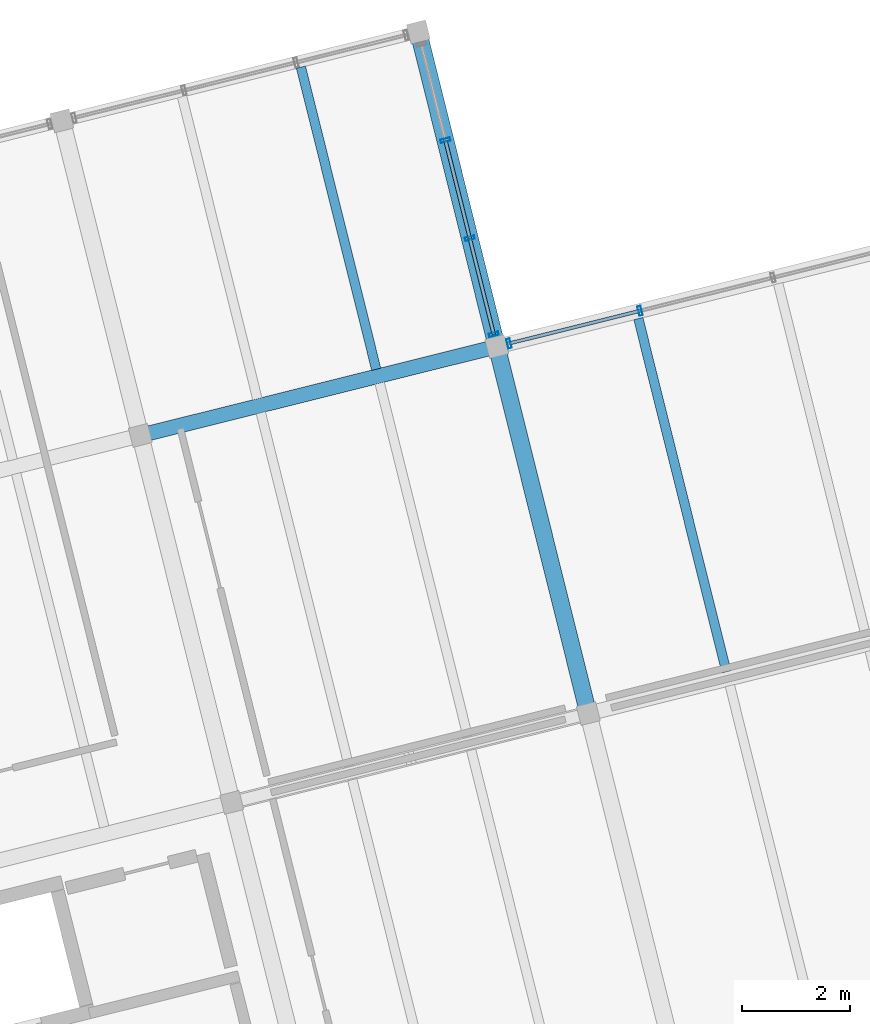
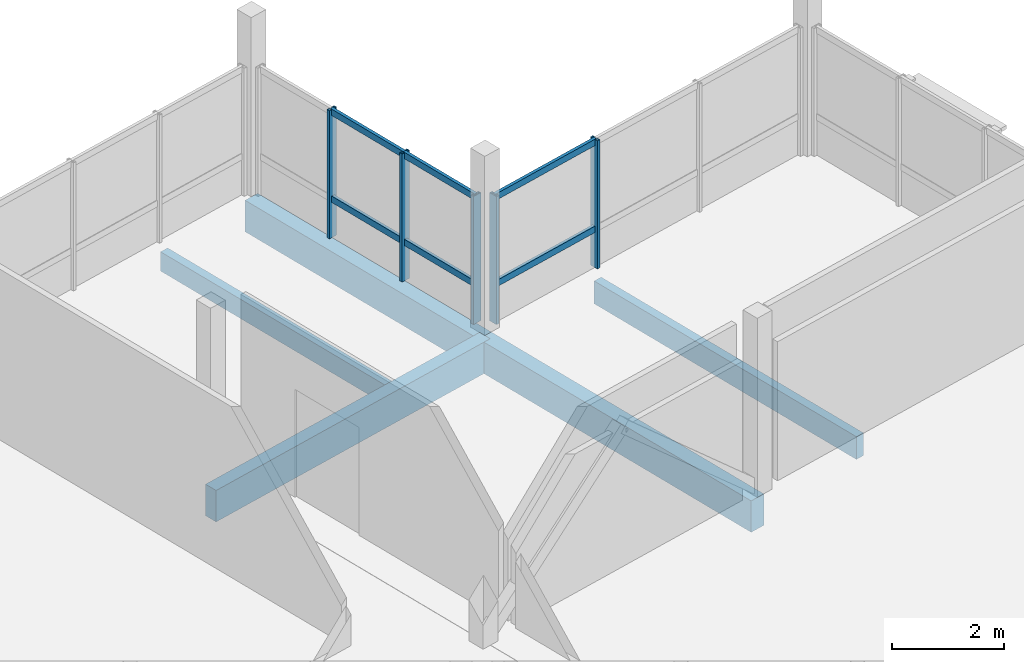
# One storey, part 20 of 28: 11 members, 5 beams, 2 elements without a shape of their own.
"""IFC4 building model written with IfcOpenShell, lengths in metres."""

from ifc_helpers import new_model, si_unit, direction, frame, origin, origin_2d, place, context, subcontext, project, spatial, rectangle, hollow_rectangle, extrude, material, layer, layer_set, material_profile, profile_set, type_object, element, aggregate, save


model = new_model("IFC4")

# Units and contexts
model_context = context("Model", 3, precision=1e-05, world=origin(), true_north=direction((0.0, 1.0)))
body_context = subcontext(model_context, "Body", "Model", "MODEL_VIEW")
ifc_project = project(units=[si_unit("LENGTHUNIT", "METRE"), si_unit("AREAUNIT", "SQUARE_METRE"), si_unit("VOLUMEUNIT", "CUBIC_METRE"), si_unit("PLANEANGLEUNIT", "RADIAN"), si_unit("MASSUNIT", "GRAM", prefix="KILO")], contexts=[model_context])

# Site, building, storey
site_placement = place(None, origin())
site = spatial("IfcSite", under=ifc_project, at=site_placement, CompositionType="ELEMENT")
building_placement = place(site_placement, origin())
building = spatial("IfcBuilding", under=site, at=building_placement, Name="Meriwether Solvik Hall", CompositionType="ELEMENT")
storey_placement = place(building_placement, frame((0.0, 0.0, 37.800048828125)))
storey = spatial("IfcBuildingStorey", under=building, at=storey_placement, Name="L09", CompositionType="ELEMENT", Elevation=37.800048828125)

# Beams
ifc_material_1 = material(Name="Glulam Douglas-Fir 24F-V8 GL28h", Category="wood")
ifc_material_profile_1 = material_profile(ifc_material_1, rectangle(XDim=0.27294921875, YDim=0.68505859375, at=origin_2d()), Name="GLB-273X685")
ifc_profile_set_1 = profile_set([ifc_material_profile_1], Name="Glulam Douglas-Fir 24F-V8 GL28h")
beam_type_1 = type_object("IfcBeamType", Name="BM-GL-273X685", PredefinedType="BEAM", material=ifc_profile_set_1)
beam_1_placement = place(storey_placement, frame((90.158935546875, 75.432373046875, -0.5224609375), z_axis=(0.970296478685, 0.241918877831, 0.0), x_axis=(-0.241918877831, 0.970296478685, 0.0)))
element("IfcBeam", 1, at=beam_1_placement, inside=storey, type_object=beam_type_1, Name="Tower Girder TE:T5-T6 (L09)", PredefinedType="BEAM", context=body_context, shape_type="SweptSolid", body=[
    extrude(rectangle(XDim=0.27294921875, YDim=0.68505859375, at=origin_2d()), origin(), (0.0, 0.0, 1.0), 6.7998046875),
])
ifc_material_2 = material(Name="Glulam Douglas-Fir 24F-V8 GL28h", Category="wood")
ifc_material_profile_2 = material_profile(ifc_material_2, rectangle(XDim=0.31494140625, YDim=0.68505859375, at=origin_2d()), Name="GLB-315X685")
ifc_profile_set_2 = profile_set([ifc_material_profile_2], Name="Glulam Douglas-Fir 24F-V8 GL28h")
beam_type_2 = type_object("IfcBeamType", Name="BM-GL-315X685", PredefinedType="BEAM", material=ifc_profile_set_2)
beam_2_placement = place(storey_placement, frame((98.4501953125, 70.285400390625, -0.5224609375), z_axis=(-0.241911879182, 0.970298223594, 0.0), x_axis=(-0.970298223594, -0.241911879182, 0.0)))
element("IfcBeam", 2, at=beam_2_placement, inside=storey, type_object=beam_type_2, Name="Tower Girder T6:TD-TE (L09)", PredefinedType="BEAM", context=body_context, shape_type="SweptSolid", body=[
    extrude(rectangle(XDim=0.31494140625, YDim=0.68505859375, at=origin_2d()), origin(), (0.0, 0.0, 1.0), 7.0),
])
beam_3_placement = place(storey_placement, frame((96.7568359375, 77.077392578125, -0.5224609375), z_axis=(-0.241903677572, 0.970300268359, 0.0), x_axis=(-0.970300268359, -0.241903677572, 0.0)))
element("IfcBeam", 3, at=beam_3_placement, inside=storey, type_object=beam_type_2, Name="Tower Girder T6:TE-TF (L09)", PredefinedType="BEAM", context=body_context, shape_type="SweptSolid", body=[
    extrude(rectangle(XDim=0.31494140625, YDim=0.68505859375, at=origin_2d()), origin(), (0.0, 0.0, 1.0), 6.0),
])

# Curtain wall, members
ifc_material_3 = material(Name="Thermally Broken Anodised Aluminium 6063-T6 and Low-E Glass", Category="aluminium")
ifc_layer_1 = layer(ifc_material_3, 0.179931640625)
ifc_layer_set_1 = layer_set([ifc_layer_1], Name="Thermally Broken Anodised Aluminium 6063-T6 and Low-E Glass")
curtain_wall_type_1 = type_object("IfcCurtainWallType", Name="CW-UNIT-D", PredefinedType="USERDEFINED", material=ifc_layer_set_1)
curtain_wall_1_placement = place(storey_placement, origin())
curtain_wall_1 = element("IfcCurtainWall", 4, at=curtain_wall_1_placement, inside=storey, type_object=curtain_wall_type_1, Name="Curtain Wall E4_B0 (L09)", ObjectType="UNITISED CURTAIN WALL", PredefinedType="USERDEFINED")
ifc_material_4 = material(Name="Anodised Aluminium 6063-T6", Category="aluminium")
ifc_material_profile_3 = material_profile(ifc_material_4, hollow_rectangle(XDim=0.06494140625, YDim=0.179931640625, WallThickness=0.00439453125, at=origin_2d()), Name="CWM-65X180")
ifc_profile_set_3 = profile_set([ifc_material_profile_3], Name="Anodised Aluminium 6063-T6")
member_type_1 = type_object("IfcMemberType", Name="CW-MUL-65X180", PredefinedType="MULLION", material=ifc_profile_set_3)
member_1_placement = place(storey_placement, frame((96.982421875, 77.1337890625, 0.0), z_axis=(0.0, 0.0, 1.0), x_axis=(0.970295706376, 0.241921975414, 0.0)))
member_1 = element("IfcMember", 5, at=member_1_placement, type_object=member_type_1, Name="Curtain Wall Mullion 1", PredefinedType="MULLION", context=body_context, shape_type="SweptSolid", body=[
    extrude(hollow_rectangle(XDim=0.06494140625, YDim=0.179931640625, WallThickness=0.00439453125, at=origin_2d()), origin(), (0.0, 0.0, 1.0), 2.7900390625),
])
member_2_placement = place(storey_placement, frame((99.4072265625, 77.73828125, 0.0), z_axis=(0.0, 0.0, 1.0), x_axis=(0.970295706376, 0.241921975414, 0.0)))
member_2 = element("IfcMember", 6, at=member_2_placement, type_object=member_type_1, Name="Curtain Wall Mullion 2", PredefinedType="MULLION", context=body_context, shape_type="SweptSolid", body=[
    extrude(hollow_rectangle(XDim=0.06494140625, YDim=0.179931640625, WallThickness=0.00439453125, at=origin_2d()), origin(), (0.0, 0.0, 1.0), 2.7900390625),
])

ifc_material_5 = material(Name="Thermally Broken Anodised Aluminium 6063-T6 and Low-E Glass", Category="aluminium")
ifc_layer_2 = layer(ifc_material_5, 0.179931640625)
ifc_layer_set_2 = layer_set([ifc_layer_2], Name="Thermally Broken Anodised Aluminium 6063-T6 and Low-E Glass")
curtain_wall_type_2 = type_object("IfcCurtainWallType", Name="CW-UNIT-E", PredefinedType="USERDEFINED", material=ifc_layer_set_2)
curtain_wall_2_placement = place(storey_placement, origin())
curtain_wall_2 = element("IfcCurtainWall", 7, at=curtain_wall_2_placement, inside=storey, type_object=curtain_wall_type_2, Name="Curtain Wall E5_B0 (L09)", ObjectType="UNITISED CURTAIN WALL", PredefinedType="USERDEFINED")
member_3_placement = place(storey_placement, frame((95.804931640625, 80.895751953125, 0.0), z_axis=(0.0, 0.0, 1.0), x_axis=(0.241921782102, -0.970295754574, 0.0)))
member_3 = element("IfcMember", 8, at=member_3_placement, type_object=member_type_1, Name="Curtain Wall Mullion 2", PredefinedType="MULLION", context=body_context, shape_type="SweptSolid", body=[
    extrude(hollow_rectangle(XDim=0.06494140625, YDim=0.179931640625, WallThickness=0.00439453125, at=origin_2d()), origin(), (0.0, 0.0, 1.0), 2.7900390625),
])
member_4_placement = place(storey_placement, frame((96.25732421875, 79.0810546875, 0.0), z_axis=(0.0, 0.0, 1.0), x_axis=(0.241921782102, -0.970295754574, 0.0)))
member_4 = element("IfcMember", 9, at=member_4_placement, type_object=member_type_1, Name="Curtain Wall Mullion 3", PredefinedType="MULLION", context=body_context, shape_type="SweptSolid", body=[
    extrude(hollow_rectangle(XDim=0.06494140625, YDim=0.179931640625, WallThickness=0.00439453125, at=origin_2d()), origin(), (0.0, 0.0, 1.0), 2.7900390625),
])
member_5_placement = place(storey_placement, frame((96.70068359375, 77.302978515625, 0.0), z_axis=(0.0, 0.0, 1.0), x_axis=(0.241921782102, -0.970295754574, 0.0)))
member_5 = element("IfcMember", 10, at=member_5_placement, type_object=member_type_1, Name="Curtain Wall Mullion 4", PredefinedType="MULLION", context=body_context, shape_type="SweptSolid", body=[
    extrude(hollow_rectangle(XDim=0.06494140625, YDim=0.179931640625, WallThickness=0.00439453125, at=origin_2d()), origin(), (0.0, 0.0, 1.0), 2.7900390625),
])

# Member
ifc_material_6 = material(Name="Anodised Aluminium 6063-T6", Category="aluminium")
ifc_material_profile_4 = material_profile(ifc_material_6, hollow_rectangle(XDim=0.06494140625, YDim=0.139892578125, WallThickness=0.00439453125, at=origin_2d()), Name="CWT-65X140")
ifc_profile_set_4 = profile_set([ifc_material_profile_4], Name="Anodised Aluminium 6063-T6")
member_type_2 = type_object("IfcMemberType", Name="CW-TRN-65X140", PredefinedType="USERDEFINED", material=ifc_profile_set_4)
member_6_placement = place(storey_placement, frame((96.982421875, 77.1337890625, 0.8369140625), z_axis=(0.970303195461, 0.241891936363, 0.0), x_axis=(-0.241891936363, 0.970303195461, 0.0)))
member_6 = element("IfcMember", 11, at=member_6_placement, type_object=member_type_2, Name="Curtain Wall Transom 1-sill", ObjectType="TRANSOM", PredefinedType="USERDEFINED", context=body_context, shape_type="SweptSolid", body=[
    extrude(hollow_rectangle(XDim=0.06494140625, YDim=0.139892578125, WallThickness=0.00439453125, at=origin_2d()), origin(), (0.0, 0.0, 1.0), 2.4990234375),
])

member_7_placement = place(storey_placement, frame((96.982421875, 77.1337890625, 2.72998046875), z_axis=(0.970303195461, 0.241891936363, 0.0), x_axis=(-0.241891936363, 0.970303195461, 0.0)))
member_7 = element("IfcMember", 12, at=member_7_placement, type_object=member_type_2, Name="Curtain Wall Transom 1-head", ObjectType="TRANSOM", PredefinedType="USERDEFINED", context=body_context, shape_type="SweptSolid", body=[
    extrude(hollow_rectangle(XDim=0.06494140625, YDim=0.139892578125, WallThickness=0.00439453125, at=origin_2d()), origin(), (0.0, 0.0, 1.0), 2.4990234375),
])

aggregate(curtain_wall_1, [member_1, member_2, member_6, member_7])

member_8_placement = place(storey_placement, frame((95.804931640625, 80.895751953125, 0.8369140625), z_axis=(0.241890550438, -0.970303540965, 0.0), x_axis=(0.970303540965, 0.241890550438, 0.0)))
member_8 = element("IfcMember", 13, at=member_8_placement, type_object=member_type_2, Name="Curtain Wall Transom 2-sill", ObjectType="TRANSOM", PredefinedType="USERDEFINED", context=body_context, shape_type="SweptSolid", body=[
    extrude(hollow_rectangle(XDim=0.06494140625, YDim=0.139892578125, WallThickness=0.00439453125, at=origin_2d()), origin(), (0.0, 0.0, 1.0), 1.8701171875),
])

member_9_placement = place(storey_placement, frame((95.804931640625, 80.895751953125, 2.72998046875), z_axis=(0.241890550438, -0.970303540965, 0.0), x_axis=(0.970303540965, 0.241890550438, 0.0)))
member_9 = element("IfcMember", 14, at=member_9_placement, type_object=member_type_2, Name="Curtain Wall Transom 2-head", ObjectType="TRANSOM", PredefinedType="USERDEFINED", context=body_context, shape_type="SweptSolid", body=[
    extrude(hollow_rectangle(XDim=0.06494140625, YDim=0.139892578125, WallThickness=0.00439453125, at=origin_2d()), origin(), (0.0, 0.0, 1.0), 1.8701171875),
])

member_10_placement = place(storey_placement, frame((96.25732421875, 79.0810546875, 0.8369140625), z_axis=(0.241939976898, -0.970291217923, 0.0), x_axis=(0.970291217923, 0.241939976898, 0.0)))
member_10 = element("IfcMember", 15, at=member_10_placement, type_object=member_type_2, Name="Curtain Wall Transom 3-sill", ObjectType="TRANSOM", PredefinedType="USERDEFINED", context=body_context, shape_type="SweptSolid", body=[
    extrude(hollow_rectangle(XDim=0.06494140625, YDim=0.139892578125, WallThickness=0.00439453125, at=origin_2d()), origin(), (0.0, 0.0, 1.0), 1.83251953125),
])

member_11_placement = place(storey_placement, frame((96.25732421875, 79.0810546875, 2.72998046875), z_axis=(0.241939976898, -0.970291217923, 0.0), x_axis=(0.970291217923, 0.241939976898, 0.0)))
member_11 = element("IfcMember", 16, at=member_11_placement, type_object=member_type_2, Name="Curtain Wall Transom 3-head", ObjectType="TRANSOM", PredefinedType="USERDEFINED", context=body_context, shape_type="SweptSolid", body=[
    extrude(hollow_rectangle(XDim=0.06494140625, YDim=0.139892578125, WallThickness=0.00439453125, at=origin_2d()), origin(), (0.0, 0.0, 1.0), 1.83251953125),
])

aggregate(curtain_wall_2, [member_3, member_4, member_5, member_8, member_9, member_10, member_11])

# Beams
ifc_material_7 = material(Name="Glulam Douglas-Fir 24F-V8 GL28h", Category="wood")
ifc_material_profile_5 = material_profile(ifc_material_7, rectangle(XDim=0.175048828125, YDim=0.419921875, at=origin_2d()), Name="GLJ-175X420")
ifc_profile_set_5 = profile_set([ifc_material_profile_5], Name="Glulam Douglas-Fir 24F-V8 GL28h")
beam_type_3 = type_object("IfcBeamType", Name="JST-GL-175X420", PredefinedType="JOIST", material=ifc_profile_set_5)
beam_4_placement = place(storey_placement, frame((94.525634765625, 76.65673828125, -0.39013671875), z_axis=(-0.241917511092, 0.970296819446, 0.0), x_axis=(-0.970296819446, -0.241917511092, 0.0)))
element("IfcBeam", 17, at=beam_4_placement, inside=storey, type_object=beam_type_3, Name="Glulam Floor Joist T5/TE-J2 (L09)", PredefinedType="JOIST", context=body_context, shape_type="SweptSolid", body=[
    extrude(rectangle(XDim=0.175048828125, YDim=0.419921875, at=origin_2d()), origin(), (0.0, 0.0, 1.0), 5.762451171875),
])
ifc_material_8 = material(Name="Glulam Douglas-Fir 24F-V8 GL28h", Category="wood")
ifc_material_profile_6 = material_profile(ifc_material_8, rectangle(XDim=0.175048828125, YDim=0.4951171875, at=origin_2d()), Name="GLJ-175X495")
ifc_profile_set_6 = profile_set([ifc_material_profile_6], Name="Glulam Douglas-Fir 24F-V8 GL28h")
beam_type_4 = type_object("IfcBeamType", Name="JST-GL-175X495", PredefinedType="JOIST", material=ifc_profile_set_6)
beam_5_placement = place(storey_placement, frame((101.005859375, 71.05810546875, -0.427490234375), z_axis=(-0.241896058636, 0.970302167789, 0.0), x_axis=(-0.970302167789, -0.241896058636, 0.0)))
element("IfcBeam", 18, at=beam_5_placement, inside=storey, type_object=beam_type_4, Name="Glulam Floor Joist T6/TD-J1 (L09)", PredefinedType="JOIST", context=body_context, shape_type="SweptSolid", body=[
    extrude(rectangle(XDim=0.175048828125, YDim=0.4951171875, at=origin_2d()), origin(), (0.0, 0.0, 1.0), 6.73681640625),
])

save(model, "model.ifc")
